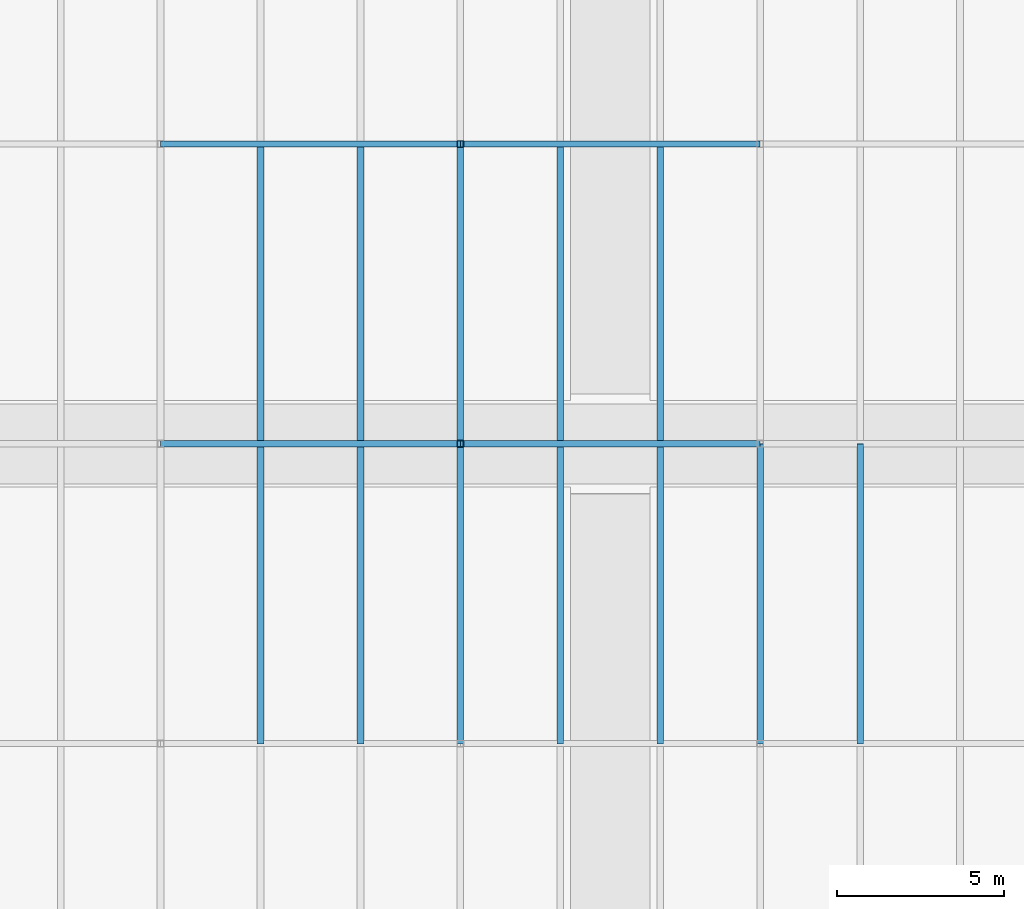
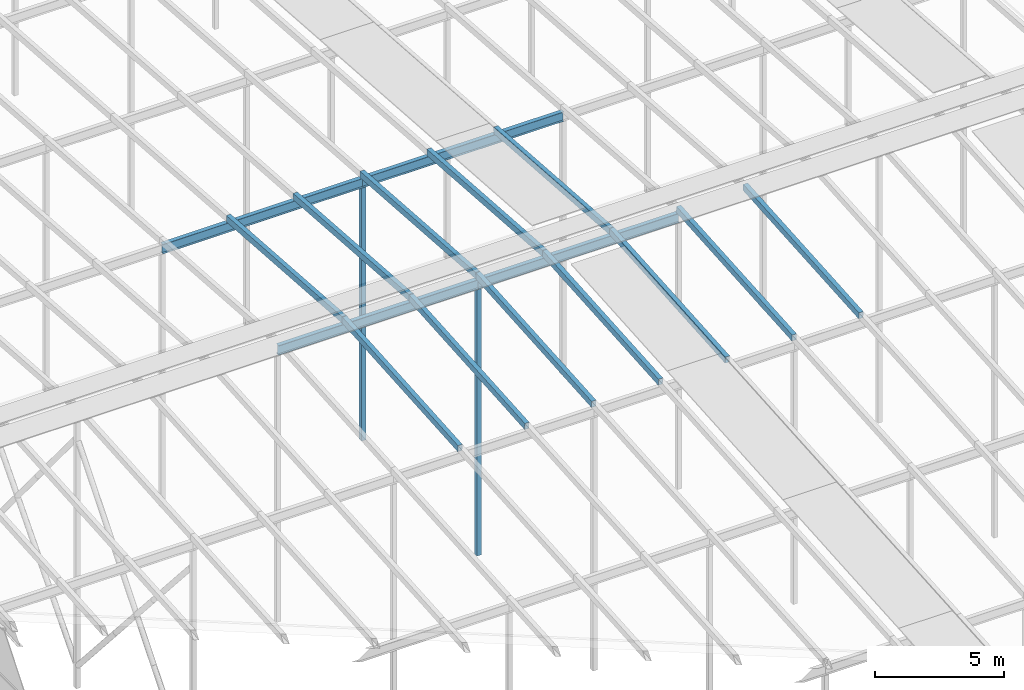
# One storey, part 14 of 84: 14 members, 4 beams.
"""IFC4 building model written with IfcOpenShell, lengths in metres."""

import ifcopenshell
import ifcopenshell.guid

model = None  # the IFC model being written
_history = None  # IfcOwnerHistory: only IFC2X3 demands one
_inside = {}  # id of a spatial element -> (the spatial element, [elements in it])
_under = {}  # id of a project, library or spatial element -> (it, [spatial elements below it])
_declared = {}  # id of a project -> (the project, [libraries it declares])
_typed = {}  # id of a type object -> (the type object, [elements of that type])
_made_of = {}  # id of a material, layer set ... -> (it, [elements and type objects made of it])


def new_model(schema):
    """Start an empty IFC model of exactly this schema.

    Asked for "IFC4X3", IfcOpenShell would pick the latest addendum, in which some entities
    have other attributes; the version numbers below select the first issue.
    IFC2X3 requires an IfcOwnerHistory on every rooted entity: one is made here for all.
    """
    global model, _history
    if schema == "IFC4X3":
        model = ifcopenshell.file(schema_version=(4, 3, 0, 0))
    else:
        model = ifcopenshell.file(schema=schema)
    _inside.clear()
    _under.clear()
    _declared.clear()
    _typed.clear()
    _made_of.clear()
    _history = None
    if model.schema == "IFC2X3":
        org = make("IfcOrganization", Name="unknown")
        user = make(
            "IfcPersonAndOrganization",
            ThePerson=make("IfcPerson", FamilyName="unknown"),
            TheOrganization=org,
        )
        app = make(
            "IfcApplication",
            ApplicationDeveloper=org,
            Version="unknown",
            ApplicationFullName="unknown",
            ApplicationIdentifier="unknown",
        )
        _history = make(
            "IfcOwnerHistory",
            OwningUser=user,
            OwningApplication=app,
            ChangeAction="ADDED",
            CreationDate=0,
        )
    return model


def make(cls, **values):
    """One entity of the class cls with the attributes given. An attribute that is None is left unset."""
    return model.create_entity(
        cls, **{name: value for name, value in values.items() if value is not None}
    )


def rooted(cls, **values):
    """An entity with a GlobalId (a new one), such as an element, a storey or a relation."""
    return make(cls, GlobalId=ifcopenshell.guid.new(), OwnerHistory=_history, **values)


def si_unit(unit_type, name, prefix=None):
    """IfcSIUnit, for example si_unit("LENGTHUNIT", "METRE", prefix="MILLI")."""
    return make("IfcSIUnit", UnitType=unit_type, Prefix=prefix, Name=name)


def assignment(units):
    """IfcUnitAssignment: the units of a project."""
    return None if units is None else make("IfcUnitAssignment", Units=units)


def point(xyz):
    """IfcCartesianPoint."""
    return None if xyz is None else make("IfcCartesianPoint", Coordinates=xyz)


def direction(xyz):
    """IfcDirection."""
    return None if xyz is None else make("IfcDirection", DirectionRatios=xyz)


def frame(location, z_axis=None, x_axis=None):
    """IfcAxis2Placement3D, a coordinate frame: its origin and axes. An axis left out is left unset."""
    return make(
        "IfcAxis2Placement3D",
        Location=point(location),
        Axis=direction(z_axis),
        RefDirection=direction(x_axis),
    )


def frame_2d(location, x_axis=None):
    """IfcAxis2Placement2D, a coordinate frame in the plane: its origin and x axis."""
    return make(
        "IfcAxis2Placement2D", Location=point(location), RefDirection=direction(x_axis)
    )


def origin():
    """The frame at (0, 0, 0) with its axes left unset."""
    return frame((0.0, 0.0, 0.0))


def origin_2d():
    """The frame at (0, 0) in the plane with its x axis left unset."""
    return frame_2d((0.0, 0.0))


def place(relative_to, where):
    """IfcLocalPlacement: puts the frame where relative to a parent placement (None: the world)."""
    return make(
        "IfcLocalPlacement", PlacementRelTo=relative_to, RelativePlacement=where
    )


def context(
    kind, dimensions, precision=None, world=None, true_north=None, identifier=None
):
    """IfcGeometricRepresentationContext, for example the 3D "Model" context."""
    return make(
        "IfcGeometricRepresentationContext",
        ContextIdentifier=identifier,
        ContextType=kind,
        CoordinateSpaceDimension=dimensions,
        Precision=precision,
        WorldCoordinateSystem=world,
        TrueNorth=true_north,
    )


def subcontext(parent, identifier, kind, view, scale=None):
    """IfcGeometricRepresentationSubContext, for example "Body" below "Model"."""
    return make(
        "IfcGeometricRepresentationSubContext",
        ContextIdentifier=identifier,
        ContextType=kind,
        ParentContext=parent,
        TargetScale=scale,
        TargetView=view,
    )


def project(units=None, contexts=None):
    """IfcProject with its units and contexts."""
    return rooted(
        "IfcProject",
        Name="project",
        RepresentationContexts=contexts,
        UnitsInContext=assignment(units),
    )


def spatial(cls, under=None, at=None, **own):
    """A site, building, storey or space (cls), placed at a placement, below another one or the project."""
    s = rooted(cls, ObjectPlacement=at, **own)
    if under is not None:
        _under.setdefault(under.id(), (under, []))[1].append(s)
    return s


def profile(cls, at=None, kind="AREA", **sizes):
    """A parametric profile (cls). Its sizes go by their IFC names, for example OverallWidth=200.0."""
    return make(cls, ProfileType=kind, Position=at, **sizes)


def hollow_rectangle(**sizes):
    """IfcRectangleHollowProfileDef."""
    return profile("IfcRectangleHollowProfileDef", **sizes)


def i_section(**sizes):
    """IfcIShapeProfileDef."""
    return profile("IfcIShapeProfileDef", **sizes)


def extrude(swept, where, along, depth):
    """IfcExtrudedAreaSolid: the profile swept, set in the frame where, extruded along a direction by depth."""
    return make(
        "IfcExtrudedAreaSolid",
        SweptArea=swept,
        Position=where,
        ExtrudedDirection=direction(along),
        Depth=depth,
    )


def shape(context_of_items, identifier, shape_type, items):
    """IfcShapeRepresentation: the items that make up one representation, for example the "Body"."""
    return make(
        "IfcShapeRepresentation",
        ContextOfItems=context_of_items,
        RepresentationIdentifier=identifier,
        RepresentationType=shape_type,
        Items=items,
    )


def material(Name=None, Category=None):
    """IfcMaterial."""
    return make("IfcMaterial", Name=Name, Category=Category)


def material_profile(
    of_material, cross_section, Name=None, Category=None, Priority=None
):
    """IfcMaterialProfile: a cross section and its material."""
    return make(
        "IfcMaterialProfile",
        Name=Name,
        Material=of_material,
        Profile=cross_section,
        Priority=Priority,
        Category=Category,
    )


def profile_set(profiles, Name=None, composite=None):
    """IfcMaterialProfileSet."""
    return make(
        "IfcMaterialProfileSet",
        Name=Name,
        MaterialProfiles=profiles,
        CompositeProfile=composite,
    )


def made_of(thing, what):
    """Note that an element or type object is made of a material, layer set ...; save() writes the relation."""
    if what is not None:
        _made_of.setdefault(what.id(), (what, []))[1].append(thing)
    return thing


def type_object(cls, material=None, **own):
    """A type object (cls), such as IfcWallType, which elements share."""
    return made_of(rooted(cls, **own), material)


def element(
    cls,
    number,
    at=None,
    inside=None,
    cuts=None,
    type_object=None,
    material=None,
    context=None,
    identifier="Body",
    shape_type=None,
    held_by="IfcProductDefinitionShape",
    body=None,
    shapes=None,
    **own,
):
    """One element of the class cls, such as IfcWall. Its Tag is "e" and its number.

    at: its placement. inside: the storey or other place that contains it. cuts: it is an
    opening in that element (IfcRelVoidsElement). A single representation is given by context,
    identifier, shape_type and body (its items); several are given by shapes. held_by: the class
    of the entity that holds the representations. save() writes the other relations.
    """
    e = rooted(cls, Tag="e%d" % number, ObjectPlacement=at, **own)
    if body is not None:
        shapes = [shape(context, identifier, shape_type, body)]
    if shapes is not None:
        e.Representation = make(held_by, Representations=shapes)
    if inside is not None:
        _inside.setdefault(inside.id(), (inside, []))[1].append(e)
    if cuts is not None:
        rooted(
            "IfcRelVoidsElement", RelatingBuildingElement=cuts, RelatedOpeningElement=e
        )
    if type_object is not None:
        _typed.setdefault(type_object.id(), (type_object, []))[1].append(e)
    return made_of(e, material)


def aggregate(whole, parts):
    """IfcRelAggregates: a whole, such as a stair, and the parts it consists of."""
    return rooted("IfcRelAggregates", RelatingObject=whole, RelatedObjects=parts)


def save(model, path):
    """Write the relations noted so far, then the file.

    IfcRelAggregates (storeys below a building ...), IfcRelContainedInSpatialStructure (elements
    in a storey), IfcRelDefinesByType, IfcRelAssociatesMaterial and IfcRelDeclares: one each for
    every whole, place, type object, material and project.
    """
    for whole, parts in _under.values():
        aggregate(whole, parts)
    for where, things in _inside.values():
        rooted(
            "IfcRelContainedInSpatialStructure",
            RelatedElements=things,
            RelatingStructure=where,
        )
    for kind, things in _typed.values():
        rooted("IfcRelDefinesByType", RelatedObjects=things, RelatingType=kind)
    for what, things in _made_of.values():
        rooted("IfcRelAssociatesMaterial", RelatedObjects=things, RelatingMaterial=what)
    for by, libraries in _declared.values():
        rooted("IfcRelDeclares", RelatingContext=by, RelatedDefinitions=libraries)
    model.write(path)


model = new_model("IFC4")

# Units and contexts
model_context = context("Model", 3, precision=1e-05, world=origin(), true_north=direction((0.0, 1.0)))
body_context = subcontext(model_context, "Body", "Model", "MODEL_VIEW")
ifc_project = project(units=[si_unit("LENGTHUNIT", "METRE"), si_unit("AREAUNIT", "SQUARE_METRE"), si_unit("VOLUMEUNIT", "CUBIC_METRE"), si_unit("PLANEANGLEUNIT", "RADIAN"), si_unit("MASSUNIT", "GRAM", prefix="KILO")], contexts=[model_context])

# Site, building, storey
site_placement = place(None, origin())
site = spatial("IfcSite", under=ifc_project, at=site_placement, CompositionType="ELEMENT")
building_placement = place(site_placement, origin())
building = spatial("IfcBuilding", under=site, at=building_placement, Name="Silverbay Arena", CompositionType="ELEMENT")
storey_placement = place(building_placement, frame((0.0, 0.0, 47.10009765625)))
storey = spatial("IfcBuildingStorey", under=building, at=storey_placement, Name="ROOF", CompositionType="ELEMENT", Elevation=47.10009765625)

# Members
ifc_material_1 = material(Name="Steel S355", Category="steel")
ifc_material_profile_1 = material_profile(ifc_material_1, hollow_rectangle(XDim=0.199951171875, YDim=0.300048828125, WallThickness=0.00634765625, at=origin_2d()), Name="RHS 300x200x6.3")
ifc_profile_set_1 = profile_set([ifc_material_profile_1], Name="Steel S355")
member_type_1 = type_object("IfcMemberType", Name="Purlin RHS 300x200x6.3", PredefinedType="PURLIN", material=ifc_profile_set_1)
for number, where, z_axis, x_axis, name in (
    (1, (102.0, 72.0, 11.99951171875), (0.0, 0.997402911363, 0.072023832195), (-1.0, 0.0, 0.0), "ROOF PURLIN crown line 08 bay 06"),
    (2, (102.0, 81.0, 12.6494140625), (0.0, 0.997402911363, -0.072023832195), (-1.0, 0.0, 0.0), "ROOF PURLIN crown line 08 bay 07"),
    (3, (105.0, 72.0, 11.99951171875), (0.0, 0.997402911363, 0.072023832195), (-1.0, 0.0, 0.0), "ROOF PURLIN crown line 09 bay 06"),
    (4, (105.0, 81.0, 12.6494140625), (0.0, 0.997402911363, -0.072023832195), (-1.0, 0.0, 0.0), "ROOF PURLIN crown line 09 bay 07"),
    (5, (108.0, 72.0, 11.99951171875), (0.0, 0.997402911363, 0.072023832195), (-1.0, 0.0, 0.0), "ROOF PURLIN crown line 10 bay 06"),
    (6, (108.0, 81.0, 12.6494140625), (0.0, 0.997402911363, -0.072023832195), (-1.0, 0.0, 0.0), "ROOF PURLIN crown line 10 bay 07"),
    (7, (111.0, 72.0, 11.99951171875), (0.0, 0.997402911363, 0.072023832195), (-1.0, 0.0, 0.0), "ROOF PURLIN crown line 11 bay 06"),
    (8, (111.0, 81.0, 12.6494140625), (0.0, 0.997402911363, -0.072023832195), (-1.0, 0.0, 0.0), "ROOF PURLIN crown line 11 bay 07"),
    (9, (114.0, 72.0, 11.99951171875), (0.0, 0.997402911363, 0.072023832195), (-1.0, 0.0, 0.0), "ROOF PURLIN crown line 12 bay 06"),
    (10, (114.0, 81.0, 12.6494140625), (0.0, 0.997402911363, -0.072023832195), (-1.0, 0.0, 0.0), "ROOF PURLIN crown line 12 bay 07"),
    (11, (117.0, 72.0, 11.99951171875), (0.0, 0.997402911363, 0.072023832195), (-1.0, 0.0, 0.0), "ROOF PURLIN crown line 13 bay 06"),
    (12, (120.0, 72.0, 11.99951171875), (0.0, 0.997402911363, 0.072023832195), (-1.0, 0.0, 0.0), "ROOF PURLIN crown line 14 bay 06"),
):
    element("IfcMember", number, at=place(storey_placement, frame(where, z_axis=z_axis, x_axis=x_axis)), inside=storey, type_object=member_type_1, Name=name, PredefinedType="PURLIN", context=body_context, shape_type="SweptSolid", body=[
        extrude(hollow_rectangle(XDim=0.199951171875, YDim=0.300048828125, WallThickness=0.00634765625, at=origin_2d()), origin(), (0.0, 0.0, 1.0), 9.0234375),
    ])

# Beams
ifc_material_2 = material(Name="Steel S355", Category="steel")
ifc_material_profile_2 = material_profile(ifc_material_2, i_section(OverallWidth=0.18994140625, OverallDepth=0.453369140625, WebThickness=0.008544921875, FlangeThickness=0.0126953125, at=origin_2d()), Name="UB 457x191x67")
ifc_profile_set_2 = profile_set([ifc_material_profile_2], Name="Steel S355")
beam_type = type_object("IfcBeamType", Name="Ring beam UB 457x191x67", PredefinedType="BEAM", material=ifc_profile_set_2)
for number, where, z_axis, x_axis, name in (
    (13, (99.0, 81.0, 12.2724609375), (1.0, 0.0, 0.0), (0.0, 1.0, 0.0), "RING BEAM crown row 07 12-13"),
    (14, (108.0, 81.0, 12.2724609375), (1.0, 0.0, 0.0), (0.0, 1.0, 0.0), "RING BEAM crown row 07 13-14"),
    (15, (99.0, 90.0, 11.622314453125), (1.0, 0.0, 0.0), (0.0, 1.0, 0.0), "RING BEAM crown row 08 12-13"),
    (16, (108.0, 90.0, 11.622314453125), (1.0, 0.0, 0.0), (0.0, 1.0, 0.0), "RING BEAM crown row 08 13-14"),
):
    element("IfcBeam", number, at=place(storey_placement, frame(where, z_axis=z_axis, x_axis=x_axis)), inside=storey, type_object=beam_type, Name=name, PredefinedType="BEAM", context=body_context, shape_type="SweptSolid", body=[
        extrude(i_section(OverallWidth=0.18994140625, OverallDepth=0.453369140625, WebThickness=0.008544921875, FlangeThickness=0.0126953125, at=origin_2d()), origin(), (0.0, 0.0, 1.0), 9.0),
    ])

# Members
ifc_material_3 = material(Name="Steel S355", Category="steel")
ifc_material_profile_3 = material_profile(ifc_material_3, hollow_rectangle(XDim=0.199951171875, YDim=0.199951171875, WallThickness=0.008056640625, at=origin_2d()), Name="SHS 200x200x8")
ifc_profile_set_3 = profile_set([ifc_material_profile_3], Name="Steel S355")
member_type_2 = type_object("IfcMemberType", Name="Roof post SHS 200x200x8", PredefinedType="POST", material=ifc_profile_set_3)
member_1_placement = place(storey_placement, frame((108.0, 81.0, -0.60009765625), z_axis=(0.0, 0.0, 1.0), x_axis=(1.0, 0.0, 0.0)))
element("IfcMember", 17, at=member_1_placement, inside=storey, type_object=member_type_2, Name="ROOF CROWN POST 13 row 07", PredefinedType="POST", context=body_context, shape_type="SweptSolid", body=[
    extrude(hollow_rectangle(XDim=0.199951171875, YDim=0.199951171875, WallThickness=0.008056640625, at=origin_2d()), origin(), (0.0, 0.0, 1.0), 12.645751953125),
])
member_2_placement = place(storey_placement, frame((108.0, 90.0, -0.60009765625), z_axis=(0.0, 0.0, 1.0), x_axis=(1.0, 0.0, 0.0)))
element("IfcMember", 18, at=member_2_placement, inside=storey, type_object=member_type_2, Name="ROOF CROWN POST 13 row 08", PredefinedType="POST", context=body_context, shape_type="SweptSolid", body=[
    extrude(hollow_rectangle(XDim=0.199951171875, YDim=0.199951171875, WallThickness=0.008056640625, at=origin_2d()), origin(), (0.0, 0.0, 1.0), 11.995849609375),
])

save(model, "model.ifc")
